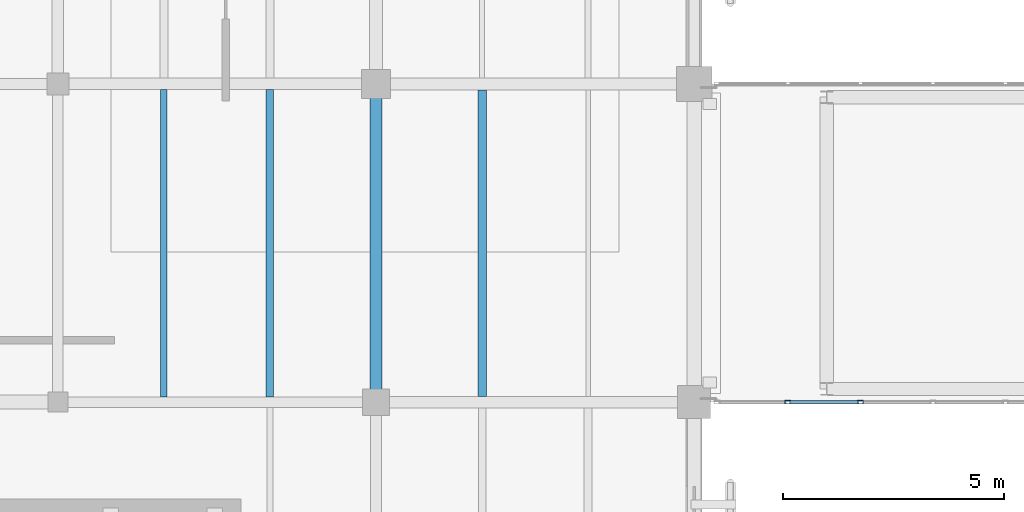
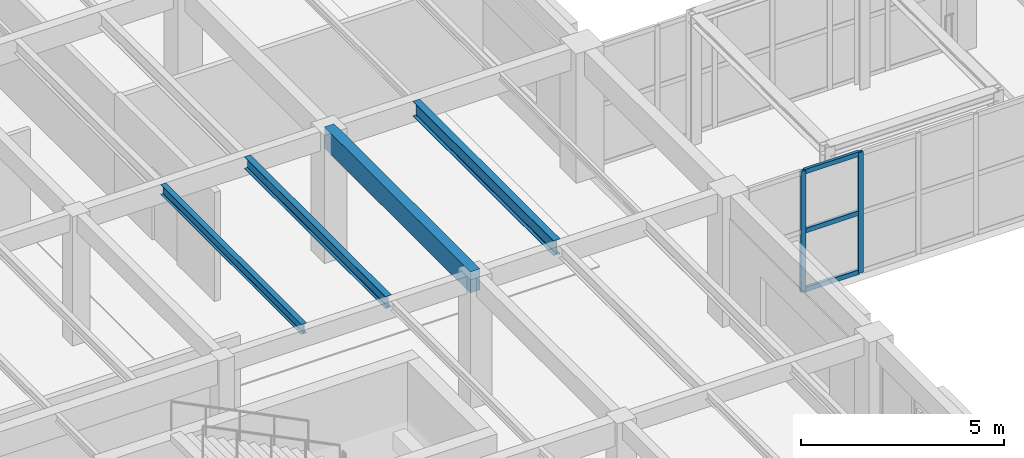
# One storey, part 23 of 170: 5 members, 4 beams, 1 element without a shape of its own.
"""IFC4 building model written with IfcOpenShell, lengths in metres."""

from ifc_helpers import new_model, si_unit, direction, frame, origin, origin_2d, place, context, subcontext, project, spatial, rectangle, hollow_rectangle, i_section, extrude, material, layer, layer_set, material_profile, profile_set, type_object, element, aggregate, save


model = new_model("IFC4")

# Units and contexts
model_context = context("Model", 3, precision=1e-05, world=origin(), true_north=direction((0.0, 1.0)))
body_context = subcontext(model_context, "Body", "Model", "MODEL_VIEW")
ifc_project = project(units=[si_unit("LENGTHUNIT", "METRE"), si_unit("AREAUNIT", "SQUARE_METRE"), si_unit("VOLUMEUNIT", "CUBIC_METRE"), si_unit("PLANEANGLEUNIT", "RADIAN"), si_unit("MASSUNIT", "GRAM", prefix="KILO")], contexts=[model_context])

# Site, building, storey
site_placement = place(None, origin())
site = spatial("IfcSite", under=ifc_project, at=site_placement, CompositionType="ELEMENT")
building_placement = place(site_placement, origin())
building = spatial("IfcBuilding", under=site, at=building_placement, Name="Mazaris Harbour Polytechnic", CompositionType="ELEMENT")
storey_placement = place(building_placement, frame((0.0, 0.0, 5.39990234375)))
storey = spatial("IfcBuildingStorey", under=building, at=storey_placement, Name="L01", CompositionType="ELEMENT", Elevation=5.39990234375)

# Curtain wall, members
ifc_material_1 = material(Name="Anodised Bronze Aluminium and Low-E Glass", Category="aluminium")
ifc_layer = layer(ifc_material_1, 0.139892578125, Name="Anodised Bronze Aluminium and Low-E Glass")
ifc_layer_set = layer_set([ifc_layer], Name="Anodised Bronze Aluminium and Low-E Glass")
curtain_wall_type = type_object("IfcCurtainWallType", Name="Seismic Link Bridge Glazing", PredefinedType="NOTDEFINED", material=ifc_layer_set)
curtain_wall_placement = place(storey_placement, origin())
curtain_wall = element("IfcCurtainWall", 1, at=curtain_wall_placement, inside=storey, type_object=curtain_wall_type, Name="PB-W1 L01 Bridge Glazing", PredefinedType="NOTDEFINED")
ifc_material_2 = material(Name="Anodised Bronze Steel S355", Category="steel")
ifc_material_profile_1 = material_profile(ifc_material_2, hollow_rectangle(XDim=0.080078125, YDim=0.139892578125, WallThickness=0.00634765625, at=origin_2d()), Name="RHS 80x140x6.3")
ifc_profile_set_1 = profile_set([ifc_material_profile_1], Name="Anodised Bronze Steel S355")
member_type_1 = type_object("IfcMemberType", Name="Curtain Mullion RHS80x140", PredefinedType="MULLION", material=ifc_profile_set_1)
member_1_placement = place(storey_placement, frame((45.320068359375, 21.60009765625, 0.0), z_axis=(0.0, 0.0, 1.0), x_axis=(0.0, 1.0, 0.0)))
member_1 = element("IfcMember", 2, at=member_1_placement, type_object=member_type_1, Name="CW-05 mullion 2", PredefinedType="MULLION", context=body_context, shape_type="SweptSolid", body=[
    extrude(hollow_rectangle(XDim=0.080078125, YDim=0.139892578125, WallThickness=0.00634765625, at=origin_2d()), origin(), (0.0, 0.0, 1.0), 3.635009765625),
])
member_2_placement = place(storey_placement, frame((46.9599609375, 21.60009765625, 0.0), z_axis=(0.0, 0.0, 1.0), x_axis=(0.0, 1.0, 0.0)))
member_2 = element("IfcMember", 3, at=member_2_placement, type_object=member_type_1, Name="CW-05 mullion 3", PredefinedType="MULLION", context=body_context, shape_type="SweptSolid", body=[
    extrude(hollow_rectangle(XDim=0.080078125, YDim=0.139892578125, WallThickness=0.00634765625, at=origin_2d()), origin(), (0.0, 0.0, 1.0), 3.635009765625),
])
ifc_material_3 = material(Name="Anodised Bronze Steel S355", Category="steel")
ifc_material_profile_2 = material_profile(ifc_material_3, hollow_rectangle(XDim=0.080078125, YDim=0.139892578125, WallThickness=0.00634765625, at=origin_2d()), Name="RHS 80x140x6.3")
ifc_profile_set_2 = profile_set([ifc_material_profile_2], Name="Anodised Bronze Steel S355")
member_type_2 = type_object("IfcMemberType", Name="Curtain Transom RHS80x140", PredefinedType="USERDEFINED", material=ifc_profile_set_2)
member_3_placement = place(storey_placement, frame((45.360107421875, 21.60009765625, 0.0400390625), z_axis=(1.0, 0.0, 0.0), x_axis=(0.0, 1.0, 0.0)))
member_3 = element("IfcMember", 4, at=member_3_placement, type_object=member_type_2, Name="CW-05 transom 2.1", ObjectType="TRANSOM", PredefinedType="USERDEFINED", context=body_context, shape_type="SweptSolid", body=[
    extrude(hollow_rectangle(XDim=0.080078125, YDim=0.139892578125, WallThickness=0.00634765625, at=origin_2d()), origin(), (0.0, 0.0, 1.0), 1.559814453125),
])
member_4_placement = place(storey_placement, frame((45.360107421875, 21.60009765625, 1.817626953125), z_axis=(1.0, 0.0, 0.0), x_axis=(0.0, 1.0, 0.0)))
member_4 = element("IfcMember", 5, at=member_4_placement, type_object=member_type_2, Name="CW-05 transom 2.2", ObjectType="TRANSOM", PredefinedType="USERDEFINED", context=body_context, shape_type="SweptSolid", body=[
    extrude(hollow_rectangle(XDim=0.080078125, YDim=0.139892578125, WallThickness=0.00634765625, at=origin_2d()), origin(), (0.0, 0.0, 1.0), 1.559814453125),
])
member_5_placement = place(storey_placement, frame((45.360107421875, 21.60009765625, 3.59521484375), z_axis=(1.0, 0.0, 0.0), x_axis=(0.0, 1.0, 0.0)))
member_5 = element("IfcMember", 6, at=member_5_placement, type_object=member_type_2, Name="CW-05 transom 2.3", ObjectType="TRANSOM", PredefinedType="USERDEFINED", context=body_context, shape_type="SweptSolid", body=[
    extrude(hollow_rectangle(XDim=0.080078125, YDim=0.139892578125, WallThickness=0.00634765625, at=origin_2d()), origin(), (0.0, 0.0, 1.0), 1.559814453125),
])
aggregate(curtain_wall, [member_1, member_2, member_3, member_4, member_5])

# Beams
ifc_material_4 = material(Name="Glulam GL32h", Category="wood")
ifc_material_profile_3 = material_profile(ifc_material_4, rectangle(XDim=0.280029296875, YDim=0.639892578125, at=origin_2d()), Name="RECT280x640")
ifc_profile_set_3 = profile_set([ifc_material_profile_3], Name="Glulam GL32h")
beam_type_1 = type_object("IfcBeamType", Name="Glulam Girder 280x640", PredefinedType="BEAM", material=ifc_profile_set_3)
beam_1_placement = place(storey_placement, frame((36.0, 21.60009765625, 3.570068359375), z_axis=(0.0, 1.0, 0.0), x_axis=(-1.0, 0.0, 0.0)))
element("IfcBeam", 7, at=beam_1_placement, inside=storey, type_object=beam_type_1, Name="V4 L01 Tie Girder 1752", PredefinedType="BEAM", context=body_context, shape_type="SweptSolid", body=[
    extrude(rectangle(XDim=0.280029296875, YDim=0.639892578125, at=origin_2d()), origin(), (0.0, 0.0, 1.0), 7.199951171875),
])
ifc_material_5 = material(Name="Steel S355", Category="steel")
ifc_material_profile_4 = material_profile(ifc_material_5, i_section(OverallWidth=0.14990234375, OverallDepth=0.300048828125, WebThickness=0.007080078125, FlangeThickness=0.0107421875, FilletRadius=0.014892578125, at=origin_2d()), Name="IPE 300")
ifc_profile_set_4 = profile_set([ifc_material_profile_4], Name="Steel S355")
beam_type_2 = type_object("IfcBeamType", Name="Steel Joist IPE300", PredefinedType="JOIST", material=ifc_profile_set_4)
beam_2_placement = place(storey_placement, frame((31.199951171875, 21.719970703125, 3.739990234375), z_axis=(0.0, 1.0, 0.0), x_axis=(-1.0, 0.0, 0.0)))
element("IfcBeam", 8, at=beam_2_placement, inside=storey, type_object=beam_type_2, Name="V4 L01 Floor Joist 1851", PredefinedType="JOIST", context=body_context, shape_type="SweptSolid", body=[
    extrude(i_section(OverallWidth=0.14990234375, OverallDepth=0.300048828125, WebThickness=0.007080078125, FlangeThickness=0.0107421875, FilletRadius=0.014892578125, at=origin_2d()), origin(), (0.0, 0.0, 1.0), 6.949951171875),
])
ifc_material_6 = material(Name="Steel S355", Category="steel")
ifc_material_profile_5 = material_profile(ifc_material_6, i_section(OverallWidth=0.169921875, OverallDepth=0.360107421875, WebThickness=0.008056640625, FlangeThickness=0.0126953125, FilletRadius=0.01806640625, at=origin_2d()), Name="IPE 360")
ifc_profile_set_5 = profile_set([ifc_material_profile_5], Name="Steel S355")
beam_type_3 = type_object("IfcBeamType", Name="Steel Joist IPE360", PredefinedType="JOIST", material=ifc_profile_set_5)
beam_3_placement = place(storey_placement, frame((33.60009765625, 21.719970703125, 3.710205078125), z_axis=(0.0, 1.0, 0.0), x_axis=(-1.0, 0.0, 0.0)))
element("IfcBeam", 9, at=beam_3_placement, inside=storey, type_object=beam_type_3, Name="V4 L01 Floor Joist 1852", PredefinedType="JOIST", context=body_context, shape_type="SweptSolid", body=[
    extrude(i_section(OverallWidth=0.169921875, OverallDepth=0.360107421875, WebThickness=0.008056640625, FlangeThickness=0.0126953125, FilletRadius=0.01806640625, at=origin_2d()), origin(), (0.0, 0.0, 1.0), 6.949951171875),
])
ifc_material_7 = material(Name="Steel S355", Category="steel")
ifc_material_profile_6 = material_profile(ifc_material_7, i_section(OverallWidth=0.18994140625, OverallDepth=0.449951171875, WebThickness=0.009521484375, FlangeThickness=0.0146484375, FilletRadius=0.02099609375, at=origin_2d()), Name="IPE 450")
ifc_profile_set_6 = profile_set([ifc_material_profile_6], Name="Steel S355")
beam_type_4 = type_object("IfcBeamType", Name="Steel Joist IPE450", PredefinedType="JOIST", material=ifc_profile_set_6)
beam_4_placement = place(storey_placement, frame((38.39990234375, 21.72998046875, 3.6650390625), z_axis=(0.0, 1.0, 0.0), x_axis=(-1.0, 0.0, 0.0)))
element("IfcBeam", 10, at=beam_4_placement, inside=storey, type_object=beam_type_4, Name="V4 L01 Floor Joist 1875", PredefinedType="JOIST", context=body_context, shape_type="SweptSolid", body=[
    extrude(i_section(OverallWidth=0.18994140625, OverallDepth=0.449951171875, WebThickness=0.009521484375, FlangeThickness=0.0146484375, FilletRadius=0.02099609375, at=origin_2d()), origin(), (0.0, 0.0, 1.0), 6.929931640625),
])

save(model, "model.ifc")
